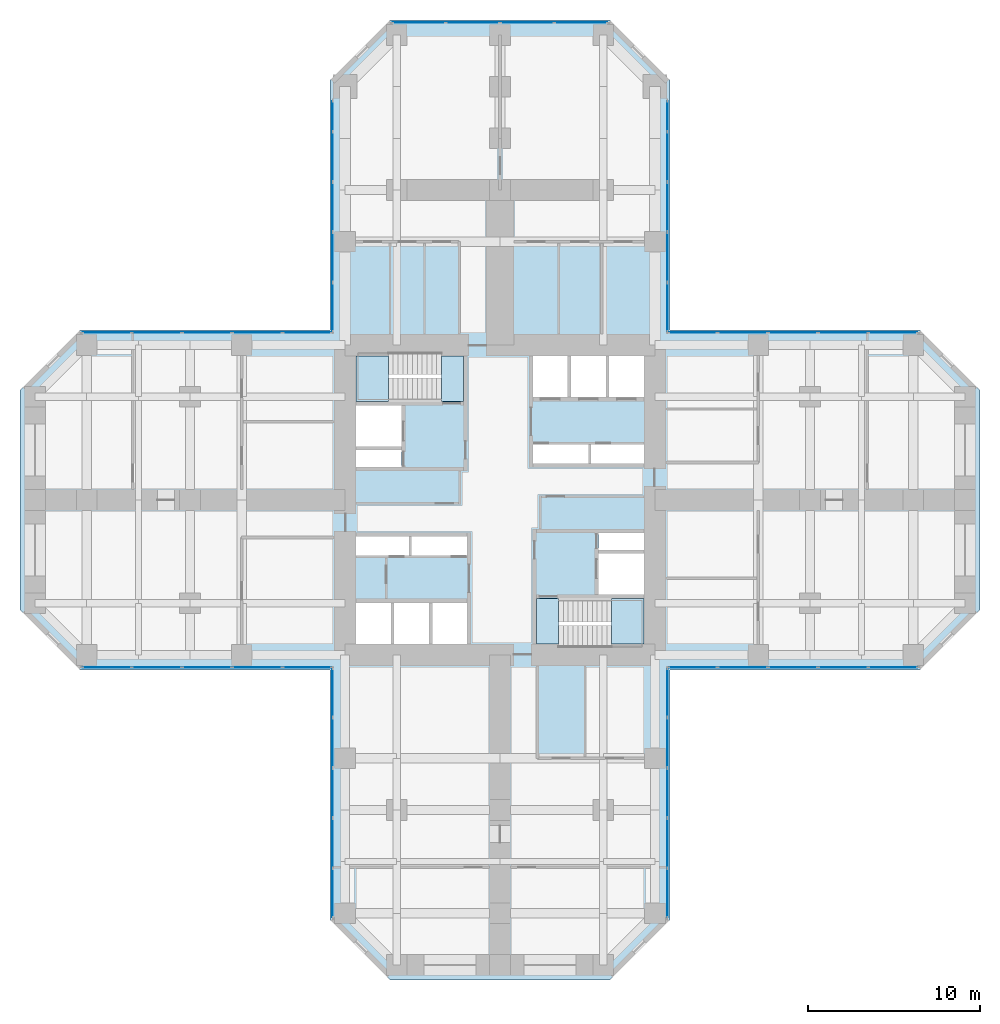
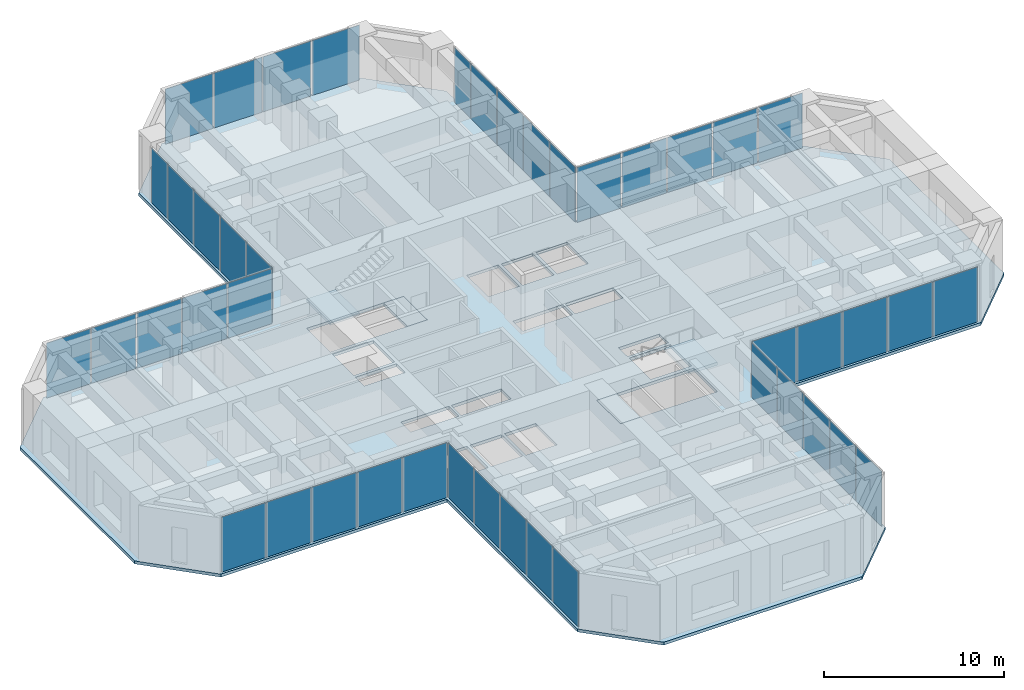
# One storey, part 7 of 12: 44 plates, 5 slabs, 11 elements without a shape of their own.
"""IFC4 building model written with IfcOpenShell, lengths in metres."""

from ifc_helpers import new_model, si_unit, direction, frame, origin, origin_2d, place, context, subcontext, project, spatial, polyline, rectangle, outline, extrude, material, layer, layer_set, type_object, element, aggregate, save


model = new_model("IFC4")

# Units and contexts
model_context = context("Model", 3, precision=1e-05, world=origin(), true_north=direction((0.0, 1.0)))
body_context = subcontext(model_context, "Body", "Model", "MODEL_VIEW")
ifc_project = project(units=[si_unit("LENGTHUNIT", "METRE"), si_unit("AREAUNIT", "SQUARE_METRE"), si_unit("VOLUMEUNIT", "CUBIC_METRE"), si_unit("PLANEANGLEUNIT", "RADIAN"), si_unit("MASSUNIT", "GRAM", prefix="KILO")], contexts=[model_context])

# Site, building, storey
site_placement = place(None, origin())
site = spatial("IfcSite", under=ifc_project, at=site_placement, CompositionType="ELEMENT")
building_placement = place(site_placement, origin())
building = spatial("IfcBuilding", under=site, at=building_placement, Name="Torre Cruceta", CompositionType="ELEMENT")
storey_placement = place(building_placement, frame((0.0, 0.0, 79.5)))
storey = spatial("IfcBuildingStorey", under=building, at=storey_placement, Name="L19", CompositionType="ELEMENT", Elevation=79.5)

# Curtain wall, plate
ifc_material_1 = material(Name="Aluminium unitised curtain wall", Category="aluminium")
curtain_wall_type = type_object("IfcCurtainWallType", Name="CURTAIN WALL CW-A OFFICE LOW RISE", PredefinedType="USERDEFINED", material=ifc_material_1)
curtain_wall_1_placement = place(storey_placement, origin())
curtain_wall_1 = element("IfcCurtainWall", 1, at=curtain_wall_1_placement, inside=storey, type_object=curtain_wall_type, Name="CW-A L19 E side 00", ObjectType="UNITISED", PredefinedType="USERDEFINED")
ifc_material_2 = material(Name="Laminated insulating glass unit, diagonal frit 50 %", Category="glass")
ifc_material_3 = material(Name="Laminated insulating glass unit, diagonal frit 50 %", Category="glass")
ifc_layer_1 = layer(ifc_material_3, 0.033935546875)
ifc_layer_set_1 = layer_set([ifc_layer_1], Name="Laminated insulating glass unit, diagonal frit 50 %")
plate_type_1 = type_object("IfcPlateType", Name="CW-A OPERABLE VENT PANEL 34", PredefinedType="CURTAIN_PANEL", material=ifc_layer_set_1)
plate_1_placement = place(storey_placement, frame((17.009033203125, -9.719970703125, 0.010009765625), z_axis=(0.0, 0.0, 1.0), x_axis=(1.0, 0.0, 0.0)))
plate_1 = element("IfcPlate", 2, at=plate_1_placement, type_object=plate_type_1, material=ifc_material_2, Name="CW-A vent 3", PredefinedType="CURTAIN_PANEL", context=body_context, shape_type="SweptSolid", body=[
    extrude(rectangle(XDim=2.8505859375, YDim=0.033935546875, at=origin_2d()), origin(), (0.0, 0.0, 1.0), 3.72509765625),
])

curtain_wall_2_placement = place(storey_placement, origin())
curtain_wall_2 = element("IfcCurtainWall", 3, at=curtain_wall_2_placement, inside=storey, type_object=curtain_wall_type, Name="CW-A L19 E side 04", ObjectType="UNITISED", PredefinedType="USERDEFINED")
plate_2_placement = place(storey_placement, frame((17.009033203125, 9.719970703125, 0.010009765625), z_axis=(0.0, 0.0, 1.0), x_axis=(-1.0, 0.0, 0.0)))
plate_2 = element("IfcPlate", 4, at=plate_2_placement, type_object=plate_type_1, material=ifc_material_2, Name="CW-A vent 3", PredefinedType="CURTAIN_PANEL", context=body_context, shape_type="SweptSolid", body=[
    extrude(rectangle(XDim=2.8505859375, YDim=0.033935546875, at=origin_2d()), origin(), (0.0, 0.0, 1.0), 3.72509765625),
])

curtain_wall_3_placement = place(storey_placement, origin())
curtain_wall_3 = element("IfcCurtainWall", 5, at=curtain_wall_3_placement, inside=storey, type_object=curtain_wall_type, Name="CW-A L19 N side 05", ObjectType="UNITISED", PredefinedType="USERDEFINED")
plate_3_placement = place(storey_placement, frame((9.719970703125, 17.009033203125, 0.010009765625), z_axis=(0.0, 0.0, 1.0), x_axis=(0.0, 1.0, 0.0)))
plate_3 = element("IfcPlate", 6, at=plate_3_placement, type_object=plate_type_1, material=ifc_material_2, Name="CW-A vent 3", PredefinedType="CURTAIN_PANEL", context=body_context, shape_type="SweptSolid", body=[
    extrude(rectangle(XDim=2.8505859375, YDim=0.033935546875, at=origin_2d()), origin(), (0.0, 0.0, 1.0), 3.72509765625),
])

curtain_wall_4_placement = place(storey_placement, origin())
curtain_wall_4 = element("IfcCurtainWall", 7, at=curtain_wall_4_placement, inside=storey, type_object=curtain_wall_type, Name="CW-A L19 N tip 07", ObjectType="UNITISED", PredefinedType="USERDEFINED")
plate_4_placement = place(storey_placement, frame((-1.574462890625, 27.719970703125, 0.010009765625), z_axis=(0.0, 0.0, 1.0), x_axis=(-1.0, 0.0, 0.0)))
plate_4 = element("IfcPlate", 8, at=plate_4_placement, type_object=plate_type_1, material=ifc_material_2, Name="CW-A vent 3", PredefinedType="CURTAIN_PANEL", context=body_context, shape_type="SweptSolid", body=[
    extrude(rectangle(XDim=3.084228515625, YDim=0.033935546875, at=origin_2d()), origin(), (0.0, 0.0, 1.0), 3.72509765625),
])

curtain_wall_5_placement = place(storey_placement, origin())
curtain_wall_5 = element("IfcCurtainWall", 9, at=curtain_wall_5_placement, inside=storey, type_object=curtain_wall_type, Name="CW-A L19 N side 09", ObjectType="UNITISED", PredefinedType="USERDEFINED")
plate_5_placement = place(storey_placement, frame((-9.719970703125, 17.009033203125, 0.010009765625), z_axis=(0.0, 0.0, 1.0), x_axis=(0.0, -1.0, 0.0)))
plate_5 = element("IfcPlate", 10, at=plate_5_placement, type_object=plate_type_1, material=ifc_material_2, Name="CW-A vent 3", PredefinedType="CURTAIN_PANEL", context=body_context, shape_type="SweptSolid", body=[
    extrude(rectangle(XDim=2.8505859375, YDim=0.033935546875, at=origin_2d()), origin(), (0.0, 0.0, 1.0), 3.72509765625),
])

curtain_wall_6_placement = place(storey_placement, origin())
curtain_wall_6 = element("IfcCurtainWall", 11, at=curtain_wall_6_placement, inside=storey, type_object=curtain_wall_type, Name="CW-A L19 W side 10", ObjectType="UNITISED", PredefinedType="USERDEFINED")
plate_6_placement = place(storey_placement, frame((-17.009033203125, 9.719970703125, 0.010009765625), z_axis=(0.0, 0.0, 1.0), x_axis=(-1.0, 0.0, 0.0)))
plate_6 = element("IfcPlate", 12, at=plate_6_placement, type_object=plate_type_1, material=ifc_material_2, Name="CW-A vent 3", PredefinedType="CURTAIN_PANEL", context=body_context, shape_type="SweptSolid", body=[
    extrude(rectangle(XDim=2.8505859375, YDim=0.033935546875, at=origin_2d()), origin(), (0.0, 0.0, 1.0), 3.72509765625),
])

curtain_wall_7_placement = place(storey_placement, origin())
curtain_wall_7 = element("IfcCurtainWall", 13, at=curtain_wall_7_placement, inside=storey, type_object=curtain_wall_type, Name="CW-A L19 W side 14", ObjectType="UNITISED", PredefinedType="USERDEFINED")
plate_7_placement = place(storey_placement, frame((-17.009033203125, -9.719970703125, 0.010009765625), z_axis=(0.0, 0.0, 1.0), x_axis=(1.0, 0.0, 0.0)))
plate_7 = element("IfcPlate", 14, at=plate_7_placement, type_object=plate_type_1, material=ifc_material_2, Name="CW-A vent 3", PredefinedType="CURTAIN_PANEL", context=body_context, shape_type="SweptSolid", body=[
    extrude(rectangle(XDim=2.8505859375, YDim=0.033935546875, at=origin_2d()), origin(), (0.0, 0.0, 1.0), 3.72509765625),
])

curtain_wall_8_placement = place(storey_placement, origin())
curtain_wall_8 = element("IfcCurtainWall", 15, at=curtain_wall_8_placement, inside=storey, type_object=curtain_wall_type, Name="CW-A L19 S side 15", ObjectType="UNITISED", PredefinedType="USERDEFINED")
plate_8_placement = place(storey_placement, frame((-9.719970703125, -17.009033203125, 0.010009765625), z_axis=(0.0, 0.0, 1.0), x_axis=(0.0, -1.0, 0.0)))
plate_8 = element("IfcPlate", 16, at=plate_8_placement, type_object=plate_type_1, material=ifc_material_2, Name="CW-A vent 3", PredefinedType="CURTAIN_PANEL", context=body_context, shape_type="SweptSolid", body=[
    extrude(rectangle(XDim=2.8505859375, YDim=0.033935546875, at=origin_2d()), origin(), (0.0, 0.0, 1.0), 3.72509765625),
])

curtain_wall_9_placement = place(storey_placement, origin())
curtain_wall_9 = element("IfcCurtainWall", 17, at=curtain_wall_9_placement, inside=storey, type_object=curtain_wall_type, Name="CW-A L19 S side 19", ObjectType="UNITISED", PredefinedType="USERDEFINED")
plate_9_placement = place(storey_placement, frame((9.719970703125, -17.009033203125, 0.010009765625), z_axis=(0.0, 0.0, 1.0), x_axis=(0.0, 1.0, 0.0)))
plate_9 = element("IfcPlate", 18, at=plate_9_placement, type_object=plate_type_1, material=ifc_material_2, Name="CW-A vent 3", PredefinedType="CURTAIN_PANEL", context=body_context, shape_type="SweptSolid", body=[
    extrude(rectangle(XDim=2.8505859375, YDim=0.033935546875, at=origin_2d()), origin(), (0.0, 0.0, 1.0), 3.72509765625),
])

# Plate
ifc_material_4 = material(Name="Laminated insulating glass unit, low-iron clear", Category="glass")
ifc_material_5 = material(Name="Laminated insulating glass unit, diagonal frit 50 %", Category="glass")
ifc_layer_2 = layer(ifc_material_5, 0.033935546875)
ifc_layer_set_2 = layer_set([ifc_layer_2], Name="Laminated insulating glass unit, diagonal frit 50 %")
plate_type_2 = type_object("IfcPlateType", Name="CW-A PANEL 34", PredefinedType="CURTAIN_PANEL", material=ifc_layer_set_2)
plate_10_placement = place(storey_placement, frame((11.194091796875, -9.719970703125, 0.010009765625), z_axis=(0.0, 0.0, 1.0), x_axis=(1.0, 0.0, 0.0)))
plate_10 = element("IfcPlate", 19, at=plate_10_placement, type_object=plate_type_2, material=ifc_material_4, Name="CW-A panel 1", PredefinedType="CURTAIN_PANEL", context=body_context, shape_type="SweptSolid", body=[
    extrude(rectangle(XDim=2.818115234375, YDim=0.033935546875, at=origin_2d()), origin(), (0.0, 0.0, 1.0), 3.72509765625),
])

plate_11_placement = place(storey_placement, frame((14.093505859375, -9.719970703125, 0.010009765625), z_axis=(0.0, 0.0, 1.0), x_axis=(1.0, 0.0, 0.0)))
plate_11 = element("IfcPlate", 20, at=plate_11_placement, type_object=plate_type_2, material=ifc_material_2, Name="CW-A panel 2", PredefinedType="CURTAIN_PANEL", context=body_context, shape_type="SweptSolid", body=[
    extrude(rectangle(XDim=2.8505859375, YDim=0.033935546875, at=origin_2d()), origin(), (0.0, 0.0, 1.0), 3.72509765625),
])

plate_12_placement = place(storey_placement, frame((19.9248046875, -9.719970703125, 0.010009765625), z_axis=(0.0, 0.0, 1.0), x_axis=(1.0, 0.0, 0.0)))
plate_12 = element("IfcPlate", 21, at=plate_12_placement, type_object=plate_type_2, material=ifc_material_2, Name="CW-A panel 4", PredefinedType="CURTAIN_PANEL", context=body_context, shape_type="SweptSolid", body=[
    extrude(rectangle(XDim=2.8505859375, YDim=0.033935546875, at=origin_2d()), origin(), (0.0, 0.0, 1.0), 3.72509765625),
])

plate_13_placement = place(storey_placement, frame((22.82421875, -9.719970703125, 0.010009765625), z_axis=(0.0, 0.0, 1.0), x_axis=(1.0, 0.0, 0.0)))
plate_13 = element("IfcPlate", 22, at=plate_13_placement, type_object=plate_type_2, material=ifc_material_2, Name="CW-A panel 5", PredefinedType="CURTAIN_PANEL", context=body_context, shape_type="SweptSolid", body=[
    extrude(rectangle(XDim=2.818115234375, YDim=0.033935546875, at=origin_2d()), origin(), (0.0, 0.0, 1.0), 3.72509765625),
])

aggregate(curtain_wall_1, [plate_10, plate_11, plate_1, plate_12, plate_13])

plate_14_placement = place(storey_placement, frame((22.82421875, 9.719970703125, 0.010009765625), z_axis=(0.0, 0.0, 1.0), x_axis=(-1.0, 0.0, 0.0)))
plate_14 = element("IfcPlate", 23, at=plate_14_placement, type_object=plate_type_2, material=ifc_material_4, Name="CW-A panel 1", PredefinedType="CURTAIN_PANEL", context=body_context, shape_type="SweptSolid", body=[
    extrude(rectangle(XDim=2.818115234375, YDim=0.033935546875, at=origin_2d()), origin(), (0.0, 0.0, 1.0), 3.72509765625),
])

plate_15_placement = place(storey_placement, frame((19.9248046875, 9.719970703125, 0.010009765625), z_axis=(0.0, 0.0, 1.0), x_axis=(-1.0, 0.0, 0.0)))
plate_15 = element("IfcPlate", 24, at=plate_15_placement, type_object=plate_type_2, material=ifc_material_2, Name="CW-A panel 2", PredefinedType="CURTAIN_PANEL", context=body_context, shape_type="SweptSolid", body=[
    extrude(rectangle(XDim=2.8505859375, YDim=0.033935546875, at=origin_2d()), origin(), (0.0, 0.0, 1.0), 3.72509765625),
])

plate_16_placement = place(storey_placement, frame((14.093505859375, 9.719970703125, 0.010009765625), z_axis=(0.0, 0.0, 1.0), x_axis=(-1.0, 0.0, 0.0)))
plate_16 = element("IfcPlate", 25, at=plate_16_placement, type_object=plate_type_2, material=ifc_material_2, Name="CW-A panel 4", PredefinedType="CURTAIN_PANEL", context=body_context, shape_type="SweptSolid", body=[
    extrude(rectangle(XDim=2.8505859375, YDim=0.033935546875, at=origin_2d()), origin(), (0.0, 0.0, 1.0), 3.72509765625),
])

plate_17_placement = place(storey_placement, frame((11.194091796875, 9.719970703125, 0.010009765625), z_axis=(0.0, 0.0, 1.0), x_axis=(-1.0, 0.0, 0.0)))
plate_17 = element("IfcPlate", 26, at=plate_17_placement, type_object=plate_type_2, material=ifc_material_2, Name="CW-A panel 5", PredefinedType="CURTAIN_PANEL", context=body_context, shape_type="SweptSolid", body=[
    extrude(rectangle(XDim=2.818115234375, YDim=0.033935546875, at=origin_2d()), origin(), (0.0, 0.0, 1.0), 3.72509765625),
])

aggregate(curtain_wall_2, [plate_14, plate_15, plate_2, plate_16, plate_17])

plate_18_placement = place(storey_placement, frame((9.719970703125, 11.194091796875, 0.010009765625), z_axis=(0.0, 0.0, 1.0), x_axis=(0.0, 1.0, 0.0)))
plate_18 = element("IfcPlate", 27, at=plate_18_placement, type_object=plate_type_2, material=ifc_material_4, Name="CW-A panel 1", PredefinedType="CURTAIN_PANEL", context=body_context, shape_type="SweptSolid", body=[
    extrude(rectangle(XDim=2.818115234375, YDim=0.033935546875, at=origin_2d()), origin(), (0.0, 0.0, 1.0), 3.72509765625),
])

plate_19_placement = place(storey_placement, frame((9.719970703125, 14.093505859375, 0.010009765625), z_axis=(0.0, 0.0, 1.0), x_axis=(0.0, 1.0, 0.0)))
plate_19 = element("IfcPlate", 28, at=plate_19_placement, type_object=plate_type_2, material=ifc_material_2, Name="CW-A panel 2", PredefinedType="CURTAIN_PANEL", context=body_context, shape_type="SweptSolid", body=[
    extrude(rectangle(XDim=2.8505859375, YDim=0.033935546875, at=origin_2d()), origin(), (0.0, 0.0, 1.0), 3.72509765625),
])

plate_20_placement = place(storey_placement, frame((9.719970703125, 19.9248046875, 0.010009765625), z_axis=(0.0, 0.0, 1.0), x_axis=(0.0, 1.0, 0.0)))
plate_20 = element("IfcPlate", 29, at=plate_20_placement, type_object=plate_type_2, material=ifc_material_2, Name="CW-A panel 4", PredefinedType="CURTAIN_PANEL", context=body_context, shape_type="SweptSolid", body=[
    extrude(rectangle(XDim=2.8505859375, YDim=0.033935546875, at=origin_2d()), origin(), (0.0, 0.0, 1.0), 3.72509765625),
])

plate_21_placement = place(storey_placement, frame((9.719970703125, 22.290771484375, 0.010009765625), z_axis=(0.0, 0.0, 1.0), x_axis=(0.0, 1.0, 0.0)))
plate_21 = element("IfcPlate", 30, at=plate_21_placement, type_object=plate_type_2, material=ifc_material_2, Name="CW-A panel 5", PredefinedType="CURTAIN_PANEL", context=body_context, shape_type="SweptSolid", body=[
    extrude(rectangle(XDim=1.75146484375, YDim=0.033935546875, at=origin_2d()), origin(), (0.0, 0.0, 1.0), 3.72509765625),
])

aggregate(curtain_wall_3, [plate_18, plate_19, plate_3, plate_20, plate_21])

plate_22_placement = place(storey_placement, frame((4.70751953125, 27.719970703125, 0.010009765625), z_axis=(0.0, 0.0, 1.0), x_axis=(-1.0, 0.0, 0.0)))
plate_22 = element("IfcPlate", 31, at=plate_22_placement, type_object=plate_type_2, material=ifc_material_4, Name="CW-A panel 1", PredefinedType="CURTAIN_PANEL", context=body_context, shape_type="SweptSolid", body=[
    extrude(rectangle(XDim=3.051513671875, YDim=0.033935546875, at=origin_2d()), origin(), (0.0, 0.0, 1.0), 3.72509765625),
])

plate_23_placement = place(storey_placement, frame((1.574462890625, 27.719970703125, 0.010009765625), z_axis=(0.0, 0.0, 1.0), x_axis=(-1.0, 0.0, 0.0)))
plate_23 = element("IfcPlate", 32, at=plate_23_placement, type_object=plate_type_2, material=ifc_material_2, Name="CW-A panel 2", PredefinedType="CURTAIN_PANEL", context=body_context, shape_type="SweptSolid", body=[
    extrude(rectangle(XDim=3.084228515625, YDim=0.033935546875, at=origin_2d()), origin(), (0.0, 0.0, 1.0), 3.72509765625),
])

plate_24_placement = place(storey_placement, frame((-4.70751953125, 27.719970703125, 0.010009765625), z_axis=(0.0, 0.0, 1.0), x_axis=(-1.0, 0.0, 0.0)))
plate_24 = element("IfcPlate", 33, at=plate_24_placement, type_object=plate_type_2, material=ifc_material_2, Name="CW-A panel 4", PredefinedType="CURTAIN_PANEL", context=body_context, shape_type="SweptSolid", body=[
    extrude(rectangle(XDim=3.051513671875, YDim=0.033935546875, at=origin_2d()), origin(), (0.0, 0.0, 1.0), 3.72509765625),
])

aggregate(curtain_wall_4, [plate_22, plate_23, plate_4, plate_24])

plate_25_placement = place(storey_placement, frame((-9.719970703125, 22.290771484375, 0.010009765625), z_axis=(0.0, 0.0, 1.0), x_axis=(0.0, -1.0, 0.0)))
plate_25 = element("IfcPlate", 34, at=plate_25_placement, type_object=plate_type_2, material=ifc_material_4, Name="CW-A panel 1", PredefinedType="CURTAIN_PANEL", context=body_context, shape_type="SweptSolid", body=[
    extrude(rectangle(XDim=1.75146484375, YDim=0.033935546875, at=origin_2d()), origin(), (0.0, 0.0, 1.0), 3.72509765625),
])

plate_26_placement = place(storey_placement, frame((-9.719970703125, 19.9248046875, 0.010009765625), z_axis=(0.0, 0.0, 1.0), x_axis=(0.0, -1.0, 0.0)))
plate_26 = element("IfcPlate", 35, at=plate_26_placement, type_object=plate_type_2, material=ifc_material_2, Name="CW-A panel 2", PredefinedType="CURTAIN_PANEL", context=body_context, shape_type="SweptSolid", body=[
    extrude(rectangle(XDim=2.8505859375, YDim=0.033935546875, at=origin_2d()), origin(), (0.0, 0.0, 1.0), 3.72509765625),
])

plate_27_placement = place(storey_placement, frame((-9.719970703125, 14.093505859375, 0.010009765625), z_axis=(0.0, 0.0, 1.0), x_axis=(0.0, -1.0, 0.0)))
plate_27 = element("IfcPlate", 36, at=plate_27_placement, type_object=plate_type_2, material=ifc_material_2, Name="CW-A panel 4", PredefinedType="CURTAIN_PANEL", context=body_context, shape_type="SweptSolid", body=[
    extrude(rectangle(XDim=2.8505859375, YDim=0.033935546875, at=origin_2d()), origin(), (0.0, 0.0, 1.0), 3.72509765625),
])

plate_28_placement = place(storey_placement, frame((-9.719970703125, 11.194091796875, 0.010009765625), z_axis=(0.0, 0.0, 1.0), x_axis=(0.0, -1.0, 0.0)))
plate_28 = element("IfcPlate", 37, at=plate_28_placement, type_object=plate_type_2, material=ifc_material_2, Name="CW-A panel 5", PredefinedType="CURTAIN_PANEL", context=body_context, shape_type="SweptSolid", body=[
    extrude(rectangle(XDim=2.818115234375, YDim=0.033935546875, at=origin_2d()), origin(), (0.0, 0.0, 1.0), 3.72509765625),
])

aggregate(curtain_wall_5, [plate_25, plate_26, plate_5, plate_27, plate_28])

plate_29_placement = place(storey_placement, frame((-11.194091796875, 9.719970703125, 0.010009765625), z_axis=(0.0, 0.0, 1.0), x_axis=(-1.0, 0.0, 0.0)))
plate_29 = element("IfcPlate", 38, at=plate_29_placement, type_object=plate_type_2, material=ifc_material_4, Name="CW-A panel 1", PredefinedType="CURTAIN_PANEL", context=body_context, shape_type="SweptSolid", body=[
    extrude(rectangle(XDim=2.818115234375, YDim=0.033935546875, at=origin_2d()), origin(), (0.0, 0.0, 1.0), 3.72509765625),
])

plate_30_placement = place(storey_placement, frame((-14.093505859375, 9.719970703125, 0.010009765625), z_axis=(0.0, 0.0, 1.0), x_axis=(-1.0, 0.0, 0.0)))
plate_30 = element("IfcPlate", 39, at=plate_30_placement, type_object=plate_type_2, material=ifc_material_2, Name="CW-A panel 2", PredefinedType="CURTAIN_PANEL", context=body_context, shape_type="SweptSolid", body=[
    extrude(rectangle(XDim=2.8505859375, YDim=0.033935546875, at=origin_2d()), origin(), (0.0, 0.0, 1.0), 3.72509765625),
])

plate_31_placement = place(storey_placement, frame((-19.9248046875, 9.719970703125, 0.010009765625), z_axis=(0.0, 0.0, 1.0), x_axis=(-1.0, 0.0, 0.0)))
plate_31 = element("IfcPlate", 40, at=plate_31_placement, type_object=plate_type_2, material=ifc_material_2, Name="CW-A panel 4", PredefinedType="CURTAIN_PANEL", context=body_context, shape_type="SweptSolid", body=[
    extrude(rectangle(XDim=2.8505859375, YDim=0.033935546875, at=origin_2d()), origin(), (0.0, 0.0, 1.0), 3.72509765625),
])

plate_32_placement = place(storey_placement, frame((-22.82421875, 9.719970703125, 0.010009765625), z_axis=(0.0, 0.0, 1.0), x_axis=(-1.0, 0.0, 0.0)))
plate_32 = element("IfcPlate", 41, at=plate_32_placement, type_object=plate_type_2, material=ifc_material_2, Name="CW-A panel 5", PredefinedType="CURTAIN_PANEL", context=body_context, shape_type="SweptSolid", body=[
    extrude(rectangle(XDim=2.818115234375, YDim=0.033935546875, at=origin_2d()), origin(), (0.0, 0.0, 1.0), 3.72509765625),
])

aggregate(curtain_wall_6, [plate_29, plate_30, plate_6, plate_31, plate_32])

plate_33_placement = place(storey_placement, frame((-22.82421875, -9.719970703125, 0.010009765625), z_axis=(0.0, 0.0, 1.0), x_axis=(1.0, 0.0, 0.0)))
plate_33 = element("IfcPlate", 42, at=plate_33_placement, type_object=plate_type_2, material=ifc_material_4, Name="CW-A panel 1", PredefinedType="CURTAIN_PANEL", context=body_context, shape_type="SweptSolid", body=[
    extrude(rectangle(XDim=2.818115234375, YDim=0.033935546875, at=origin_2d()), origin(), (0.0, 0.0, 1.0), 3.72509765625),
])

plate_34_placement = place(storey_placement, frame((-19.9248046875, -9.719970703125, 0.010009765625), z_axis=(0.0, 0.0, 1.0), x_axis=(1.0, 0.0, 0.0)))
plate_34 = element("IfcPlate", 43, at=plate_34_placement, type_object=plate_type_2, material=ifc_material_2, Name="CW-A panel 2", PredefinedType="CURTAIN_PANEL", context=body_context, shape_type="SweptSolid", body=[
    extrude(rectangle(XDim=2.8505859375, YDim=0.033935546875, at=origin_2d()), origin(), (0.0, 0.0, 1.0), 3.72509765625),
])

plate_35_placement = place(storey_placement, frame((-14.093505859375, -9.719970703125, 0.010009765625), z_axis=(0.0, 0.0, 1.0), x_axis=(1.0, 0.0, 0.0)))
plate_35 = element("IfcPlate", 44, at=plate_35_placement, type_object=plate_type_2, material=ifc_material_2, Name="CW-A panel 4", PredefinedType="CURTAIN_PANEL", context=body_context, shape_type="SweptSolid", body=[
    extrude(rectangle(XDim=2.8505859375, YDim=0.033935546875, at=origin_2d()), origin(), (0.0, 0.0, 1.0), 3.72509765625),
])

plate_36_placement = place(storey_placement, frame((-11.194091796875, -9.719970703125, 0.010009765625), z_axis=(0.0, 0.0, 1.0), x_axis=(1.0, 0.0, 0.0)))
plate_36 = element("IfcPlate", 45, at=plate_36_placement, type_object=plate_type_2, material=ifc_material_2, Name="CW-A panel 5", PredefinedType="CURTAIN_PANEL", context=body_context, shape_type="SweptSolid", body=[
    extrude(rectangle(XDim=2.818115234375, YDim=0.033935546875, at=origin_2d()), origin(), (0.0, 0.0, 1.0), 3.72509765625),
])

aggregate(curtain_wall_7, [plate_33, plate_34, plate_7, plate_35, plate_36])

plate_37_placement = place(storey_placement, frame((-9.719970703125, -11.194091796875, 0.010009765625), z_axis=(0.0, 0.0, 1.0), x_axis=(0.0, -1.0, 0.0)))
plate_37 = element("IfcPlate", 46, at=plate_37_placement, type_object=plate_type_2, material=ifc_material_4, Name="CW-A panel 1", PredefinedType="CURTAIN_PANEL", context=body_context, shape_type="SweptSolid", body=[
    extrude(rectangle(XDim=2.818115234375, YDim=0.033935546875, at=origin_2d()), origin(), (0.0, 0.0, 1.0), 3.72509765625),
])

plate_38_placement = place(storey_placement, frame((-9.719970703125, -14.093505859375, 0.010009765625), z_axis=(0.0, 0.0, 1.0), x_axis=(0.0, -1.0, 0.0)))
plate_38 = element("IfcPlate", 47, at=plate_38_placement, type_object=plate_type_2, material=ifc_material_2, Name="CW-A panel 2", PredefinedType="CURTAIN_PANEL", context=body_context, shape_type="SweptSolid", body=[
    extrude(rectangle(XDim=2.8505859375, YDim=0.033935546875, at=origin_2d()), origin(), (0.0, 0.0, 1.0), 3.72509765625),
])

plate_39_placement = place(storey_placement, frame((-9.719970703125, -19.9248046875, 0.010009765625), z_axis=(0.0, 0.0, 1.0), x_axis=(0.0, -1.0, 0.0)))
plate_39 = element("IfcPlate", 48, at=plate_39_placement, type_object=plate_type_2, material=ifc_material_2, Name="CW-A panel 4", PredefinedType="CURTAIN_PANEL", context=body_context, shape_type="SweptSolid", body=[
    extrude(rectangle(XDim=2.8505859375, YDim=0.033935546875, at=origin_2d()), origin(), (0.0, 0.0, 1.0), 3.72509765625),
])

plate_40_placement = place(storey_placement, frame((-9.719970703125, -22.82421875, 0.010009765625), z_axis=(0.0, 0.0, 1.0), x_axis=(0.0, -1.0, 0.0)))
plate_40 = element("IfcPlate", 49, at=plate_40_placement, type_object=plate_type_2, material=ifc_material_2, Name="CW-A panel 5", PredefinedType="CURTAIN_PANEL", context=body_context, shape_type="SweptSolid", body=[
    extrude(rectangle(XDim=2.818115234375, YDim=0.033935546875, at=origin_2d()), origin(), (0.0, 0.0, 1.0), 3.72509765625),
])

aggregate(curtain_wall_8, [plate_37, plate_38, plate_8, plate_39, plate_40])

plate_41_placement = place(storey_placement, frame((9.719970703125, -22.82421875, 0.010009765625), z_axis=(0.0, 0.0, 1.0), x_axis=(0.0, 1.0, 0.0)))
plate_41 = element("IfcPlate", 50, at=plate_41_placement, type_object=plate_type_2, material=ifc_material_4, Name="CW-A panel 1", PredefinedType="CURTAIN_PANEL", context=body_context, shape_type="SweptSolid", body=[
    extrude(rectangle(XDim=2.818115234375, YDim=0.033935546875, at=origin_2d()), origin(), (0.0, 0.0, 1.0), 3.72509765625),
])

plate_42_placement = place(storey_placement, frame((9.719970703125, -19.9248046875, 0.010009765625), z_axis=(0.0, 0.0, 1.0), x_axis=(0.0, 1.0, 0.0)))
plate_42 = element("IfcPlate", 51, at=plate_42_placement, type_object=plate_type_2, material=ifc_material_2, Name="CW-A panel 2", PredefinedType="CURTAIN_PANEL", context=body_context, shape_type="SweptSolid", body=[
    extrude(rectangle(XDim=2.8505859375, YDim=0.033935546875, at=origin_2d()), origin(), (0.0, 0.0, 1.0), 3.72509765625),
])

plate_43_placement = place(storey_placement, frame((9.719970703125, -14.093505859375, 0.010009765625), z_axis=(0.0, 0.0, 1.0), x_axis=(0.0, 1.0, 0.0)))
plate_43 = element("IfcPlate", 52, at=plate_43_placement, type_object=plate_type_2, material=ifc_material_2, Name="CW-A panel 4", PredefinedType="CURTAIN_PANEL", context=body_context, shape_type="SweptSolid", body=[
    extrude(rectangle(XDim=2.8505859375, YDim=0.033935546875, at=origin_2d()), origin(), (0.0, 0.0, 1.0), 3.72509765625),
])

plate_44_placement = place(storey_placement, frame((9.719970703125, -11.194091796875, 0.010009765625), z_axis=(0.0, 0.0, 1.0), x_axis=(0.0, 1.0, 0.0)))
plate_44 = element("IfcPlate", 53, at=plate_44_placement, type_object=plate_type_2, material=ifc_material_2, Name="CW-A panel 5", PredefinedType="CURTAIN_PANEL", context=body_context, shape_type="SweptSolid", body=[
    extrude(rectangle(XDim=2.818115234375, YDim=0.033935546875, at=origin_2d()), origin(), (0.0, 0.0, 1.0), 3.72509765625),
])

aggregate(curtain_wall_9, [plate_41, plate_42, plate_9, plate_43, plate_44])

# Slab
ifc_material_6 = material(Name="Concrete G35 (fck 35 MPa)", Category="concrete")
ifc_layer_3 = layer(ifc_material_6, 0.199951171875)
ifc_layer_set_3 = layer_set([ifc_layer_3], Name="Concrete G35 (fck 35 MPa)")
slab_type_1 = type_object("IfcSlabType", Name="FLOOR SLAB 200", PredefinedType="FLOOR", material=ifc_layer_set_3)
slab_1_placement = place(storey_placement, frame((0.0, 0.0, -0.199951171875)))
element("IfcSlab", 54, at=slab_1_placement, inside=storey, type_object=slab_type_1, Name="Floor Slab L19", PredefinedType="FLOOR", context=body_context, shape_type="SweptSolid", body=[
    extrude(outline(polyline([(9.8701171875, -9.8701171875), (9.8701171875, -24.3603515625), (6.3603515625, -27.8701171875), (-6.3603515625, -27.8701171875), (-9.8701171875, -24.3603515625), (-9.8701171875, -9.8701171875), (-24.3603515625, -9.8701171875), (-27.8701171875, -6.3603515625), (-27.8701171875, 6.3603515625), (-24.3603515625, 9.8701171875), (-9.8701171875, 9.8701171875), (-9.8701171875, 24.3603515625), (-6.3603515625, 27.8701171875), (6.3603515625, 27.8701171875), (9.8701171875, 24.3603515625), (9.8701171875, 9.8701171875), (24.3603515625, 9.8701171875), (27.8701171875, 6.3603515625), (27.8701171875, -6.3603515625), (24.3603515625, -9.8701171875), (9.8701171875, -9.8701171875)]), holes=[polyline([(1.925048828125, 5.97509765625), (3.933349609375, 5.97509765625), (3.933349609375, 8.35009765625), (1.925048828125, 8.35009765625), (1.925048828125, 5.97509765625)]), polyline([(4.13330078125, 5.97509765625), (6.1416015625, 5.97509765625), (6.1416015625, 8.35009765625), (4.13330078125, 8.35009765625), (4.13330078125, 5.97509765625)]), polyline([(6.341552734375, 5.97509765625), (8.35009765625, 5.97509765625), (8.35009765625, 8.35009765625), (6.341552734375, 8.35009765625), (6.341552734375, 5.97509765625)]), polyline([(1.925048828125, 2.125), (5.125, 2.125), (5.125, 3.22509765625), (1.925048828125, 3.22509765625), (1.925048828125, 2.125)]), polyline([(5.27490234375, 2.125), (8.35009765625, 2.125), (8.35009765625, 3.22509765625), (5.27490234375, 3.22509765625), (5.27490234375, 2.125)]), polyline([(-8.35009765625, 3.10009765625), (-5.72509765625, 3.10009765625), (-5.72509765625, 5.47509765625), (-8.35009765625, 5.47509765625), (-8.35009765625, 3.10009765625)]), polyline([(-8.35009765625, 1.925048828125), (-5.72509765625, 1.925048828125), (-5.72509765625, 2.89990234375), (-8.35009765625, 2.89990234375), (-8.35009765625, 1.925048828125)]), polyline([(-3.933349609375, -8.35009765625), (-1.925048828125, -8.35009765625), (-1.925048828125, -5.97509765625), (-3.933349609375, -5.97509765625), (-3.933349609375, -8.35009765625)]), polyline([(-6.1416015625, -8.35009765625), (-4.13330078125, -8.35009765625), (-4.13330078125, -5.97509765625), (-6.1416015625, -5.97509765625), (-6.1416015625, -8.35009765625)]), polyline([(-8.35009765625, -8.35009765625), (-6.341552734375, -8.35009765625), (-6.341552734375, -5.97509765625), (-8.35009765625, -5.97509765625), (-8.35009765625, -8.35009765625)]), polyline([(-5.125, -3.22509765625), (-1.925048828125, -3.22509765625), (-1.925048828125, -2.125), (-5.125, -2.125), (-5.125, -3.22509765625)]), polyline([(-8.35009765625, -3.22509765625), (-5.27490234375, -3.22509765625), (-5.27490234375, -2.125), (-8.35009765625, -2.125), (-8.35009765625, -3.22509765625)]), polyline([(5.72509765625, -5.47509765625), (8.35009765625, -5.47509765625), (8.35009765625, -3.10009765625), (5.72509765625, -3.10009765625), (5.72509765625, -5.47509765625)]), polyline([(5.72509765625, -2.89990234375), (8.35009765625, -2.89990234375), (8.35009765625, -1.925048828125), (5.72509765625, -1.925048828125), (5.72509765625, -2.89990234375)]), polyline([(-8.35009765625, 5.72509765625), (-8.35009765625, 8.35009765625), (-3.39990234375, 8.35009765625), (-2.125, 8.35009765625), (-2.125, 5.72509765625), (-3.39990234375, 5.72509765625), (-8.35009765625, 5.72509765625)]), polyline([(2.125, -5.72509765625), (3.39990234375, -5.72509765625), (8.35009765625, -5.72509765625), (8.35009765625, -8.35009765625), (3.39990234375, -8.35009765625), (2.125, -8.35009765625), (2.125, -5.72509765625)])]), origin(), (0.0, 0.0, 1.0), 0.199951171875),
])

# Stair, slab
ifc_material_7 = material(Name="Concrete G30 (fck 30 MPa)", Category="concrete")
stair_type = type_object("IfcStairType", Name="STAIR HALF-TURN 1300", PredefinedType="HALF_TURN_STAIR", material=ifc_material_7)
stair_1_placement = place(storey_placement, origin())
stair_1 = element("IfcStair", 55, at=stair_1_placement, inside=storey, type_object=stair_type, Name="Stair ST1 L19", PredefinedType="HALF_TURN_STAIR")
ifc_material_8 = material(Name="Concrete G30 (fck 30 MPa)", Category="concrete")
ifc_layer_4 = layer(ifc_material_8, 0.199951171875)
ifc_layer_set_4 = layer_set([ifc_layer_4], Name="Concrete G30 (fck 30 MPa)")
slab_type_2 = type_object("IfcSlabType", Name="STAIR LANDING 200", PredefinedType="LANDING", material=ifc_layer_set_4)
slab_2_placement = place(storey_placement, frame((0.0, 0.0, 1.800048828125)))
slab_2 = element("IfcSlab", 56, at=slab_2_placement, type_object=slab_type_2, Name="ST1 landing 1", PredefinedType="LANDING", context=body_context, shape_type="SweptSolid", body=[
    extrude(outline(polyline([(-8.35009765625, 5.72509765625), (-6.47998046875, 5.72509765625), (-6.47998046875, 8.35009765625), (-8.35009765625, 8.35009765625), (-8.35009765625, 5.72509765625)])), origin(), (0.0, 0.0, 1.0), 0.199951171875),
])
aggregate(stair_1, [slab_2])

stair_2_placement = place(storey_placement, origin())
stair_2 = element("IfcStair", 57, at=stair_2_placement, inside=storey, type_object=stair_type, Name="Stair ST2 L19", PredefinedType="HALF_TURN_STAIR")
slab_3_placement = place(storey_placement, frame((0.0, 0.0, 1.800048828125)))
slab_3 = element("IfcSlab", 58, at=slab_3_placement, type_object=slab_type_2, Name="ST2 landing 1", PredefinedType="LANDING", context=body_context, shape_type="SweptSolid", body=[
    extrude(outline(polyline([(6.47998046875, -8.35009765625), (8.35009765625, -8.35009765625), (8.35009765625, -5.72509765625), (6.47998046875, -5.72509765625), (6.47998046875, -8.35009765625)])), origin(), (0.0, 0.0, 1.0), 0.199951171875),
])
aggregate(stair_2, [slab_3])

# Slabs
slab_4_placement = place(storey_placement, frame((0.0, 0.0, -0.199951171875)))
element("IfcSlab", 59, at=slab_4_placement, inside=storey, type_object=slab_type_2, Name="Stair ST1 floor landing L19", PredefinedType="LANDING", context=body_context, shape_type="SweptSolid", body=[
    extrude(outline(polyline([(-2.125, 8.35009765625), (-2.125, 5.72509765625), (-3.39990234375, 5.72509765625), (-3.39990234375, 8.35009765625), (-2.125, 8.35009765625)])), origin(), (0.0, 0.0, 1.0), 0.199951171875),
])
slab_5_placement = place(storey_placement, frame((0.0, 0.0, -0.199951171875)))
element("IfcSlab", 60, at=slab_5_placement, inside=storey, type_object=slab_type_2, Name="Stair ST2 floor landing L19", PredefinedType="LANDING", context=body_context, shape_type="SweptSolid", body=[
    extrude(outline(polyline([(2.125, -8.35009765625), (2.125, -5.72509765625), (3.39990234375, -5.72509765625), (3.39990234375, -8.35009765625), (2.125, -8.35009765625)])), origin(), (0.0, 0.0, 1.0), 0.199951171875),
])

save(model, "model.ifc")
